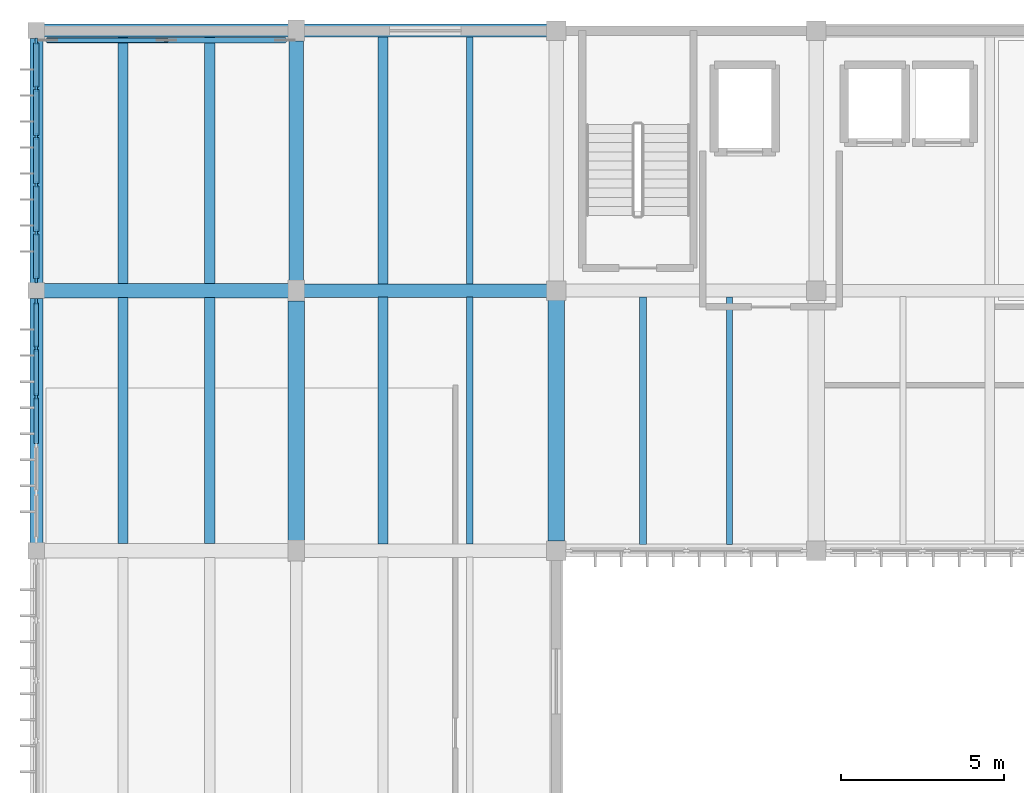
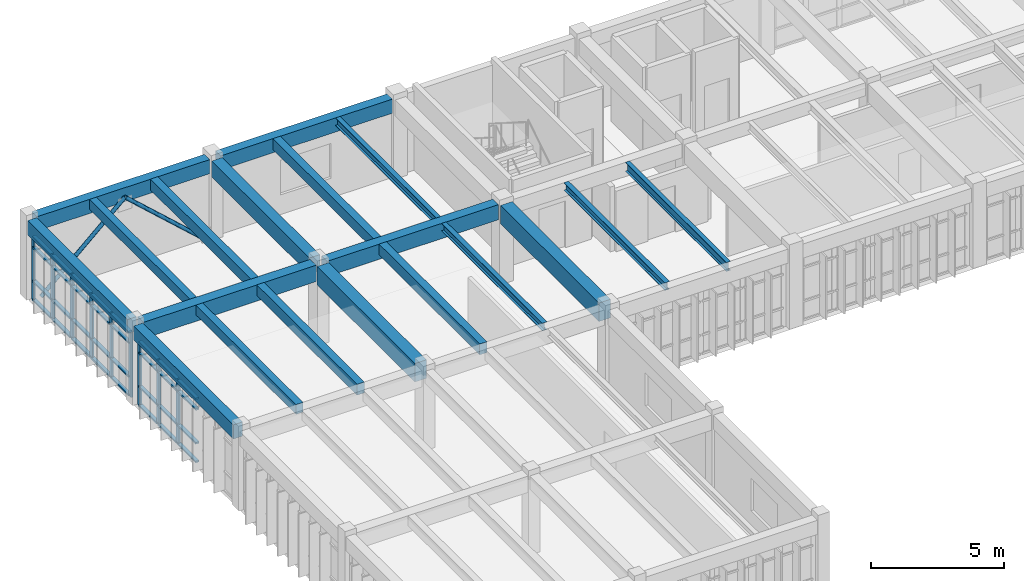
# One storey, part 7 of 22: 43 members, 19 beams, 2 elements without a shape of their own.
"""IFC4 building model written with IfcOpenShell, lengths in metres."""

from ifc_helpers import new_model, si_unit, direction, frame, origin, origin_2d, place, context, subcontext, project, spatial, rectangle, hollow_circle, i_section, extrude, material, material_profile, profile_set, type_object, element, aggregate, save


model = new_model("IFC4")

# Units and contexts
model_context = context("Model", 3, precision=1e-05, world=origin(), true_north=direction((0.0, 1.0)))
body_context = subcontext(model_context, "Body", "Model", "MODEL_VIEW")
ifc_project = project(units=[si_unit("LENGTHUNIT", "METRE"), si_unit("AREAUNIT", "SQUARE_METRE"), si_unit("VOLUMEUNIT", "CUBIC_METRE"), si_unit("PLANEANGLEUNIT", "RADIAN"), si_unit("MASSUNIT", "GRAM", prefix="KILO")], contexts=[model_context])

# Site, building, storey
site_placement = place(None, origin())
site = spatial("IfcSite", under=ifc_project, at=site_placement, CompositionType="ELEMENT")
building_placement = place(site_placement, origin())
building = spatial("IfcBuilding", under=site, at=building_placement, Name="Tlaxcora Railside Police Headquarters", CompositionType="ELEMENT")
storey_placement = place(building_placement, frame((0.0, 0.0, 21.89990234375)))
storey = spatial("IfcBuildingStorey", under=building, at=storey_placement, Name="L05", CompositionType="ELEMENT", Elevation=21.89990234375)

# Curtain wall, members
ifc_material_1 = material(Name="Thermally broken low-E insulated glazing", Category="glass")
curtain_wall_type_1 = type_object("IfcCurtainWallType", Name="Unitised Curtain Wall Assembly CW-38", PredefinedType="NOTDEFINED", material=ifc_material_1)
curtain_wall_1_placement = place(storey_placement, origin())
curtain_wall_1 = element("IfcCurtainWall", 1, at=curtain_wall_1_placement, inside=storey, type_object=curtain_wall_type_1, Name="V5 L05 curtain wall 117", PredefinedType="NOTDEFINED")
ifc_material_2 = material(Name="Anodised aluminium framing", Category="aluminium")
ifc_material_profile_1 = material_profile(ifc_material_2, rectangle(XDim=0.074951171875, YDim=0.205078125, at=origin_2d()), Name="AL75X205")
ifc_profile_set_1 = profile_set([ifc_material_profile_1], Name="Anodised aluminium framing")
member_type_1 = type_object("IfcMemberType", Name="Curtain Wall Mullion CW-32", PredefinedType="MULLION", material=ifc_profile_set_1)
member_1_placement = place(storey_placement, frame((5.199951171875, 92.46240234375, 0.0), z_axis=(0.0, 0.0, 1.0), x_axis=(1.0, 0.0, 0.0)))
member_1 = element("IfcMember", 2, at=member_1_placement, type_object=member_type_1, Name="CW mullion 1", PredefinedType="MULLION", context=body_context, shape_type="SweptSolid", body=[
    extrude(rectangle(XDim=0.074951171875, YDim=0.205078125, at=origin_2d()), origin(), (0.0, 0.0, 1.0), 2.97998046875),
])
member_2_placement = place(storey_placement, frame((5.199951171875, 91.02001953125, 0.0), z_axis=(0.0, 0.0, 1.0), x_axis=(1.0, 0.0, 0.0)))
member_2 = element("IfcMember", 3, at=member_2_placement, type_object=member_type_1, Name="CW mullion 2", PredefinedType="MULLION", context=body_context, shape_type="SweptSolid", body=[
    extrude(rectangle(XDim=0.074951171875, YDim=0.205078125, at=origin_2d()), origin(), (0.0, 0.0, 1.0), 2.97998046875),
])
member_3_placement = place(storey_placement, frame((5.199951171875, 89.5400390625, 0.0), z_axis=(0.0, 0.0, 1.0), x_axis=(1.0, 0.0, 0.0)))
member_3 = element("IfcMember", 4, at=member_3_placement, type_object=member_type_1, Name="CW mullion 3", PredefinedType="MULLION", context=body_context, shape_type="SweptSolid", body=[
    extrude(rectangle(XDim=0.074951171875, YDim=0.205078125, at=origin_2d()), origin(), (0.0, 0.0, 1.0), 2.97998046875),
])
member_4_placement = place(storey_placement, frame((5.199951171875, 88.06005859375, 0.0), z_axis=(0.0, 0.0, 1.0), x_axis=(1.0, 0.0, 0.0)))
member_4 = element("IfcMember", 5, at=member_4_placement, type_object=member_type_1, Name="CW mullion 4", PredefinedType="MULLION", context=body_context, shape_type="SweptSolid", body=[
    extrude(rectangle(XDim=0.074951171875, YDim=0.205078125, at=origin_2d()), origin(), (0.0, 0.0, 1.0), 2.97998046875),
])
member_5_placement = place(storey_placement, frame((5.199951171875, 86.580078125, 0.0), z_axis=(0.0, 0.0, 1.0), x_axis=(1.0, 0.0, 0.0)))
member_5 = element("IfcMember", 6, at=member_5_placement, type_object=member_type_1, Name="CW mullion 5", PredefinedType="MULLION", context=body_context, shape_type="SweptSolid", body=[
    extrude(rectangle(XDim=0.074951171875, YDim=0.205078125, at=origin_2d()), origin(), (0.0, 0.0, 1.0), 2.97998046875),
])
member_6_placement = place(storey_placement, frame((5.199951171875, 85.137451171875, 0.0), z_axis=(0.0, 0.0, 1.0), x_axis=(1.0, 0.0, 0.0)))
member_6 = element("IfcMember", 7, at=member_6_placement, type_object=member_type_1, Name="CW mullion 6", PredefinedType="MULLION", context=body_context, shape_type="SweptSolid", body=[
    extrude(rectangle(XDim=0.074951171875, YDim=0.205078125, at=origin_2d()), origin(), (0.0, 0.0, 1.0), 2.97998046875),
])

curtain_wall_type_2 = type_object("IfcCurtainWallType", Name="Unitised Curtain Wall Assembly CW-15", PredefinedType="NOTDEFINED", material=ifc_material_1)
curtain_wall_2_placement = place(storey_placement, origin())
curtain_wall_2 = element("IfcCurtainWall", 8, at=curtain_wall_2_placement, inside=storey, type_object=curtain_wall_type_2, Name="V5 L05 curtain wall 118", PredefinedType="NOTDEFINED")
ifc_material_profile_2 = material_profile(ifc_material_2, rectangle(XDim=0.074951171875, YDim=0.199951171875, at=origin_2d()), Name="AL75X200")
ifc_profile_set_2 = profile_set([ifc_material_profile_2], Name="Anodised aluminium framing")
member_type_2 = type_object("IfcMemberType", Name="Curtain Wall Mullion CW-58", PredefinedType="MULLION", material=ifc_profile_set_2)
member_7_placement = place(storey_placement, frame((5.199951171875, 84.46240234375, 0.0), z_axis=(0.0, 0.0, 1.0), x_axis=(1.0, 0.0, 0.0)))
member_7 = element("IfcMember", 9, at=member_7_placement, type_object=member_type_2, Name="CW mullion 1", PredefinedType="MULLION", context=body_context, shape_type="SweptSolid", body=[
    extrude(rectangle(XDim=0.074951171875, YDim=0.199951171875, at=origin_2d()), origin(), (0.0, 0.0, 1.0), 2.97998046875),
])
member_8_placement = place(storey_placement, frame((5.199951171875, 83.02001953125, 0.0), z_axis=(0.0, 0.0, 1.0), x_axis=(1.0, 0.0, 0.0)))
member_8 = element("IfcMember", 10, at=member_8_placement, type_object=member_type_2, Name="CW mullion 2", PredefinedType="MULLION", context=body_context, shape_type="SweptSolid", body=[
    extrude(rectangle(XDim=0.074951171875, YDim=0.199951171875, at=origin_2d()), origin(), (0.0, 0.0, 1.0), 2.97998046875),
])
member_9_placement = place(storey_placement, frame((5.199951171875, 81.5400390625, 0.0), z_axis=(0.0, 0.0, 1.0), x_axis=(1.0, 0.0, 0.0)))
member_9 = element("IfcMember", 11, at=member_9_placement, type_object=member_type_2, Name="CW mullion 3", PredefinedType="MULLION", context=body_context, shape_type="SweptSolid", body=[
    extrude(rectangle(XDim=0.074951171875, YDim=0.199951171875, at=origin_2d()), origin(), (0.0, 0.0, 1.0), 2.97998046875),
])
ifc_material_profile_3 = material_profile(ifc_material_2, rectangle(XDim=0.14990234375, YDim=0.074951171875, at=origin_2d()), Name="AL75X150")
ifc_profile_set_3 = profile_set([ifc_material_profile_3], Name="Anodised aluminium framing")
member_type_3 = type_object("IfcMemberType", Name="Curtain Wall Transom CW-28", PredefinedType="USERDEFINED", material=ifc_profile_set_3)
member_10_placement = place(storey_placement, frame((5.199951171875, 84.425048828125, 0.03759765625), z_axis=(0.0, -1.0, 0.0), x_axis=(1.0, 0.0, 0.0)))
member_10 = element("IfcMember", 12, at=member_10_placement, type_object=member_type_3, Name="CW transom 1.1", ObjectType="TRANSOM", PredefinedType="USERDEFINED", context=body_context, shape_type="SweptSolid", body=[
    extrude(rectangle(XDim=0.14990234375, YDim=0.074951171875, at=origin_2d()), origin(), (0.0, 0.0, 1.0), 1.367431640625),
])
member_11_placement = place(storey_placement, frame((5.199951171875, 84.425048828125, 0.900146484375), z_axis=(0.0, -1.0, 0.0), x_axis=(1.0, 0.0, 0.0)))
member_11 = element("IfcMember", 13, at=member_11_placement, type_object=member_type_3, Name="CW transom 1.2", ObjectType="TRANSOM", PredefinedType="USERDEFINED", context=body_context, shape_type="SweptSolid", body=[
    extrude(rectangle(XDim=0.14990234375, YDim=0.074951171875, at=origin_2d()), origin(), (0.0, 0.0, 1.0), 1.367431640625),
])
member_12_placement = place(storey_placement, frame((5.199951171875, 84.425048828125, 2.4501953125), z_axis=(0.0, -1.0, 0.0), x_axis=(1.0, 0.0, 0.0)))
member_12 = element("IfcMember", 14, at=member_12_placement, type_object=member_type_3, Name="CW transom 1.3", ObjectType="TRANSOM", PredefinedType="USERDEFINED", context=body_context, shape_type="SweptSolid", body=[
    extrude(rectangle(XDim=0.14990234375, YDim=0.074951171875, at=origin_2d()), origin(), (0.0, 0.0, 1.0), 1.367431640625),
])
member_13_placement = place(storey_placement, frame((5.199951171875, 84.425048828125, 2.942626953125), z_axis=(0.0, -1.0, 0.0), x_axis=(1.0, 0.0, 0.0)))
member_13 = element("IfcMember", 15, at=member_13_placement, type_object=member_type_3, Name="CW transom 1.4", ObjectType="TRANSOM", PredefinedType="USERDEFINED", context=body_context, shape_type="SweptSolid", body=[
    extrude(rectangle(XDim=0.14990234375, YDim=0.074951171875, at=origin_2d()), origin(), (0.0, 0.0, 1.0), 1.367431640625),
])
member_14_placement = place(storey_placement, frame((5.199951171875, 82.982421875, 0.03759765625), z_axis=(0.0, -1.0, 0.0), x_axis=(1.0, 0.0, 0.0)))
member_14 = element("IfcMember", 16, at=member_14_placement, type_object=member_type_3, Name="CW transom 2.1", ObjectType="TRANSOM", PredefinedType="USERDEFINED", context=body_context, shape_type="SweptSolid", body=[
    extrude(rectangle(XDim=0.14990234375, YDim=0.074951171875, at=origin_2d()), origin(), (0.0, 0.0, 1.0), 1.405029296875),
])
member_15_placement = place(storey_placement, frame((5.199951171875, 82.982421875, 0.900146484375), z_axis=(0.0, -1.0, 0.0), x_axis=(1.0, 0.0, 0.0)))
member_15 = element("IfcMember", 17, at=member_15_placement, type_object=member_type_3, Name="CW transom 2.2", ObjectType="TRANSOM", PredefinedType="USERDEFINED", context=body_context, shape_type="SweptSolid", body=[
    extrude(rectangle(XDim=0.14990234375, YDim=0.074951171875, at=origin_2d()), origin(), (0.0, 0.0, 1.0), 1.405029296875),
])
member_16_placement = place(storey_placement, frame((5.199951171875, 82.982421875, 2.4501953125), z_axis=(0.0, -1.0, 0.0), x_axis=(1.0, 0.0, 0.0)))
member_16 = element("IfcMember", 18, at=member_16_placement, type_object=member_type_3, Name="CW transom 2.3", ObjectType="TRANSOM", PredefinedType="USERDEFINED", context=body_context, shape_type="SweptSolid", body=[
    extrude(rectangle(XDim=0.14990234375, YDim=0.074951171875, at=origin_2d()), origin(), (0.0, 0.0, 1.0), 1.405029296875),
])
member_17_placement = place(storey_placement, frame((5.199951171875, 82.982421875, 2.942626953125), z_axis=(0.0, -1.0, 0.0), x_axis=(1.0, 0.0, 0.0)))
member_17 = element("IfcMember", 19, at=member_17_placement, type_object=member_type_3, Name="CW transom 2.4", ObjectType="TRANSOM", PredefinedType="USERDEFINED", context=body_context, shape_type="SweptSolid", body=[
    extrude(rectangle(XDim=0.14990234375, YDim=0.074951171875, at=origin_2d()), origin(), (0.0, 0.0, 1.0), 1.405029296875),
])
member_18_placement = place(storey_placement, frame((5.199951171875, 81.50244140625, 0.03759765625), z_axis=(0.0, -1.0, 0.0), x_axis=(1.0, 0.0, 0.0)))
member_18 = element("IfcMember", 20, at=member_18_placement, type_object=member_type_3, Name="CW transom 3.1", ObjectType="TRANSOM", PredefinedType="USERDEFINED", context=body_context, shape_type="SweptSolid", body=[
    extrude(rectangle(XDim=0.14990234375, YDim=0.074951171875, at=origin_2d()), origin(), (0.0, 0.0, 1.0), 1.405029296875),
])
member_19_placement = place(storey_placement, frame((5.199951171875, 81.50244140625, 0.900146484375), z_axis=(0.0, -1.0, 0.0), x_axis=(1.0, 0.0, 0.0)))
member_19 = element("IfcMember", 21, at=member_19_placement, type_object=member_type_3, Name="CW transom 3.2", ObjectType="TRANSOM", PredefinedType="USERDEFINED", context=body_context, shape_type="SweptSolid", body=[
    extrude(rectangle(XDim=0.14990234375, YDim=0.074951171875, at=origin_2d()), origin(), (0.0, 0.0, 1.0), 1.405029296875),
])
member_20_placement = place(storey_placement, frame((5.199951171875, 81.50244140625, 2.4501953125), z_axis=(0.0, -1.0, 0.0), x_axis=(1.0, 0.0, 0.0)))
member_20 = element("IfcMember", 22, at=member_20_placement, type_object=member_type_3, Name="CW transom 3.3", ObjectType="TRANSOM", PredefinedType="USERDEFINED", context=body_context, shape_type="SweptSolid", body=[
    extrude(rectangle(XDim=0.14990234375, YDim=0.074951171875, at=origin_2d()), origin(), (0.0, 0.0, 1.0), 1.405029296875),
])
member_21_placement = place(storey_placement, frame((5.199951171875, 81.50244140625, 2.942626953125), z_axis=(0.0, -1.0, 0.0), x_axis=(1.0, 0.0, 0.0)))
member_21 = element("IfcMember", 23, at=member_21_placement, type_object=member_type_3, Name="CW transom 3.4", ObjectType="TRANSOM", PredefinedType="USERDEFINED", context=body_context, shape_type="SweptSolid", body=[
    extrude(rectangle(XDim=0.14990234375, YDim=0.074951171875, at=origin_2d()), origin(), (0.0, 0.0, 1.0), 1.405029296875),
])
aggregate(curtain_wall_2, [member_7, member_8, member_9, member_10, member_11, member_12, member_13, member_14, member_15, member_16, member_17, member_18, member_19, member_20, member_21])

# Member
ifc_material_profile_4 = material_profile(ifc_material_2, rectangle(XDim=0.155029296875, YDim=0.074951171875, at=origin_2d()), Name="AL75X155")
ifc_profile_set_4 = profile_set([ifc_material_profile_4], Name="Anodised aluminium framing")
member_type_4 = type_object("IfcMemberType", Name="Curtain Wall Transom CW-30", PredefinedType="USERDEFINED", material=ifc_profile_set_4)
member_22_placement = place(storey_placement, frame((5.199951171875, 92.425048828125, 0.03759765625), z_axis=(0.0, -1.0, 0.0), x_axis=(1.0, 0.0, 0.0)))
member_22 = element("IfcMember", 24, at=member_22_placement, type_object=member_type_4, Name="CW transom 1.1", ObjectType="TRANSOM", PredefinedType="USERDEFINED", context=body_context, shape_type="SweptSolid", body=[
    extrude(rectangle(XDim=0.155029296875, YDim=0.074951171875, at=origin_2d()), origin(), (0.0, 0.0, 1.0), 1.367431640625),
])

member_23_placement = place(storey_placement, frame((5.199951171875, 92.425048828125, 0.900146484375), z_axis=(0.0, -1.0, 0.0), x_axis=(1.0, 0.0, 0.0)))
member_23 = element("IfcMember", 25, at=member_23_placement, type_object=member_type_4, Name="CW transom 1.2", ObjectType="TRANSOM", PredefinedType="USERDEFINED", context=body_context, shape_type="SweptSolid", body=[
    extrude(rectangle(XDim=0.155029296875, YDim=0.074951171875, at=origin_2d()), origin(), (0.0, 0.0, 1.0), 1.367431640625),
])

member_24_placement = place(storey_placement, frame((5.199951171875, 92.425048828125, 2.4501953125), z_axis=(0.0, -1.0, 0.0), x_axis=(1.0, 0.0, 0.0)))
member_24 = element("IfcMember", 26, at=member_24_placement, type_object=member_type_4, Name="CW transom 1.3", ObjectType="TRANSOM", PredefinedType="USERDEFINED", context=body_context, shape_type="SweptSolid", body=[
    extrude(rectangle(XDim=0.155029296875, YDim=0.074951171875, at=origin_2d()), origin(), (0.0, 0.0, 1.0), 1.367431640625),
])

member_25_placement = place(storey_placement, frame((5.199951171875, 92.425048828125, 2.942626953125), z_axis=(0.0, -1.0, 0.0), x_axis=(1.0, 0.0, 0.0)))
member_25 = element("IfcMember", 27, at=member_25_placement, type_object=member_type_4, Name="CW transom 1.4", ObjectType="TRANSOM", PredefinedType="USERDEFINED", context=body_context, shape_type="SweptSolid", body=[
    extrude(rectangle(XDim=0.155029296875, YDim=0.074951171875, at=origin_2d()), origin(), (0.0, 0.0, 1.0), 1.367431640625),
])

member_26_placement = place(storey_placement, frame((5.199951171875, 90.982421875, 0.03759765625), z_axis=(0.0, -1.0, 0.0), x_axis=(1.0, 0.0, 0.0)))
member_26 = element("IfcMember", 28, at=member_26_placement, type_object=member_type_4, Name="CW transom 2.1", ObjectType="TRANSOM", PredefinedType="USERDEFINED", context=body_context, shape_type="SweptSolid", body=[
    extrude(rectangle(XDim=0.155029296875, YDim=0.074951171875, at=origin_2d()), origin(), (0.0, 0.0, 1.0), 1.405029296875),
])

member_27_placement = place(storey_placement, frame((5.199951171875, 90.982421875, 0.900146484375), z_axis=(0.0, -1.0, 0.0), x_axis=(1.0, 0.0, 0.0)))
member_27 = element("IfcMember", 29, at=member_27_placement, type_object=member_type_4, Name="CW transom 2.2", ObjectType="TRANSOM", PredefinedType="USERDEFINED", context=body_context, shape_type="SweptSolid", body=[
    extrude(rectangle(XDim=0.155029296875, YDim=0.074951171875, at=origin_2d()), origin(), (0.0, 0.0, 1.0), 1.405029296875),
])

member_28_placement = place(storey_placement, frame((5.199951171875, 90.982421875, 2.4501953125), z_axis=(0.0, -1.0, 0.0), x_axis=(1.0, 0.0, 0.0)))
member_28 = element("IfcMember", 30, at=member_28_placement, type_object=member_type_4, Name="CW transom 2.3", ObjectType="TRANSOM", PredefinedType="USERDEFINED", context=body_context, shape_type="SweptSolid", body=[
    extrude(rectangle(XDim=0.155029296875, YDim=0.074951171875, at=origin_2d()), origin(), (0.0, 0.0, 1.0), 1.405029296875),
])

member_29_placement = place(storey_placement, frame((5.199951171875, 90.982421875, 2.942626953125), z_axis=(0.0, -1.0, 0.0), x_axis=(1.0, 0.0, 0.0)))
member_29 = element("IfcMember", 31, at=member_29_placement, type_object=member_type_4, Name="CW transom 2.4", ObjectType="TRANSOM", PredefinedType="USERDEFINED", context=body_context, shape_type="SweptSolid", body=[
    extrude(rectangle(XDim=0.155029296875, YDim=0.074951171875, at=origin_2d()), origin(), (0.0, 0.0, 1.0), 1.405029296875),
])

member_30_placement = place(storey_placement, frame((5.199951171875, 89.50244140625, 0.03759765625), z_axis=(0.0, -1.0, 0.0), x_axis=(1.0, 0.0, 0.0)))
member_30 = element("IfcMember", 32, at=member_30_placement, type_object=member_type_4, Name="CW transom 3.1", ObjectType="TRANSOM", PredefinedType="USERDEFINED", context=body_context, shape_type="SweptSolid", body=[
    extrude(rectangle(XDim=0.155029296875, YDim=0.074951171875, at=origin_2d()), origin(), (0.0, 0.0, 1.0), 1.405029296875),
])

member_31_placement = place(storey_placement, frame((5.199951171875, 89.50244140625, 0.900146484375), z_axis=(0.0, -1.0, 0.0), x_axis=(1.0, 0.0, 0.0)))
member_31 = element("IfcMember", 33, at=member_31_placement, type_object=member_type_4, Name="CW transom 3.2", ObjectType="TRANSOM", PredefinedType="USERDEFINED", context=body_context, shape_type="SweptSolid", body=[
    extrude(rectangle(XDim=0.155029296875, YDim=0.074951171875, at=origin_2d()), origin(), (0.0, 0.0, 1.0), 1.405029296875),
])

member_32_placement = place(storey_placement, frame((5.199951171875, 89.50244140625, 2.4501953125), z_axis=(0.0, -1.0, 0.0), x_axis=(1.0, 0.0, 0.0)))
member_32 = element("IfcMember", 34, at=member_32_placement, type_object=member_type_4, Name="CW transom 3.3", ObjectType="TRANSOM", PredefinedType="USERDEFINED", context=body_context, shape_type="SweptSolid", body=[
    extrude(rectangle(XDim=0.155029296875, YDim=0.074951171875, at=origin_2d()), origin(), (0.0, 0.0, 1.0), 1.405029296875),
])

member_33_placement = place(storey_placement, frame((5.199951171875, 89.50244140625, 2.942626953125), z_axis=(0.0, -1.0, 0.0), x_axis=(1.0, 0.0, 0.0)))
member_33 = element("IfcMember", 35, at=member_33_placement, type_object=member_type_4, Name="CW transom 3.4", ObjectType="TRANSOM", PredefinedType="USERDEFINED", context=body_context, shape_type="SweptSolid", body=[
    extrude(rectangle(XDim=0.155029296875, YDim=0.074951171875, at=origin_2d()), origin(), (0.0, 0.0, 1.0), 1.405029296875),
])

member_34_placement = place(storey_placement, frame((5.199951171875, 88.0224609375, 0.03759765625), z_axis=(0.0, -1.0, 0.0), x_axis=(1.0, 0.0, 0.0)))
member_34 = element("IfcMember", 36, at=member_34_placement, type_object=member_type_4, Name="CW transom 4.1", ObjectType="TRANSOM", PredefinedType="USERDEFINED", context=body_context, shape_type="SweptSolid", body=[
    extrude(rectangle(XDim=0.155029296875, YDim=0.074951171875, at=origin_2d()), origin(), (0.0, 0.0, 1.0), 1.405029296875),
])

member_35_placement = place(storey_placement, frame((5.199951171875, 88.0224609375, 0.900146484375), z_axis=(0.0, -1.0, 0.0), x_axis=(1.0, 0.0, 0.0)))
member_35 = element("IfcMember", 37, at=member_35_placement, type_object=member_type_4, Name="CW transom 4.2", ObjectType="TRANSOM", PredefinedType="USERDEFINED", context=body_context, shape_type="SweptSolid", body=[
    extrude(rectangle(XDim=0.155029296875, YDim=0.074951171875, at=origin_2d()), origin(), (0.0, 0.0, 1.0), 1.405029296875),
])

member_36_placement = place(storey_placement, frame((5.199951171875, 88.0224609375, 2.4501953125), z_axis=(0.0, -1.0, 0.0), x_axis=(1.0, 0.0, 0.0)))
member_36 = element("IfcMember", 38, at=member_36_placement, type_object=member_type_4, Name="CW transom 4.3", ObjectType="TRANSOM", PredefinedType="USERDEFINED", context=body_context, shape_type="SweptSolid", body=[
    extrude(rectangle(XDim=0.155029296875, YDim=0.074951171875, at=origin_2d()), origin(), (0.0, 0.0, 1.0), 1.405029296875),
])

member_37_placement = place(storey_placement, frame((5.199951171875, 88.0224609375, 2.942626953125), z_axis=(0.0, -1.0, 0.0), x_axis=(1.0, 0.0, 0.0)))
member_37 = element("IfcMember", 39, at=member_37_placement, type_object=member_type_4, Name="CW transom 4.4", ObjectType="TRANSOM", PredefinedType="USERDEFINED", context=body_context, shape_type="SweptSolid", body=[
    extrude(rectangle(XDim=0.155029296875, YDim=0.074951171875, at=origin_2d()), origin(), (0.0, 0.0, 1.0), 1.405029296875),
])

member_38_placement = place(storey_placement, frame((5.199951171875, 86.54248046875, 0.03759765625), z_axis=(0.0, -1.0, 0.0), x_axis=(1.0, 0.0, 0.0)))
member_38 = element("IfcMember", 40, at=member_38_placement, type_object=member_type_4, Name="CW transom 5.1", ObjectType="TRANSOM", PredefinedType="USERDEFINED", context=body_context, shape_type="SweptSolid", body=[
    extrude(rectangle(XDim=0.155029296875, YDim=0.074951171875, at=origin_2d()), origin(), (0.0, 0.0, 1.0), 1.367431640625),
])

member_39_placement = place(storey_placement, frame((5.199951171875, 86.54248046875, 0.900146484375), z_axis=(0.0, -1.0, 0.0), x_axis=(1.0, 0.0, 0.0)))
member_39 = element("IfcMember", 41, at=member_39_placement, type_object=member_type_4, Name="CW transom 5.2", ObjectType="TRANSOM", PredefinedType="USERDEFINED", context=body_context, shape_type="SweptSolid", body=[
    extrude(rectangle(XDim=0.155029296875, YDim=0.074951171875, at=origin_2d()), origin(), (0.0, 0.0, 1.0), 1.367431640625),
])

member_40_placement = place(storey_placement, frame((5.199951171875, 86.54248046875, 2.4501953125), z_axis=(0.0, -1.0, 0.0), x_axis=(1.0, 0.0, 0.0)))
member_40 = element("IfcMember", 42, at=member_40_placement, type_object=member_type_4, Name="CW transom 5.3", ObjectType="TRANSOM", PredefinedType="USERDEFINED", context=body_context, shape_type="SweptSolid", body=[
    extrude(rectangle(XDim=0.155029296875, YDim=0.074951171875, at=origin_2d()), origin(), (0.0, 0.0, 1.0), 1.367431640625),
])

member_41_placement = place(storey_placement, frame((5.199951171875, 86.54248046875, 2.942626953125), z_axis=(0.0, -1.0, 0.0), x_axis=(1.0, 0.0, 0.0)))
member_41 = element("IfcMember", 43, at=member_41_placement, type_object=member_type_4, Name="CW transom 5.4", ObjectType="TRANSOM", PredefinedType="USERDEFINED", context=body_context, shape_type="SweptSolid", body=[
    extrude(rectangle(XDim=0.155029296875, YDim=0.074951171875, at=origin_2d()), origin(), (0.0, 0.0, 1.0), 1.367431640625),
])

aggregate(curtain_wall_1, [member_1, member_2, member_3, member_4, member_5, member_6, member_22, member_23, member_24, member_25, member_26, member_27, member_28, member_29, member_30, member_31, member_32, member_33, member_34, member_35, member_36, member_37, member_38, member_39, member_40, member_41])

# Members
ifc_material_3 = material(Name="Steel ASTM A992 Grade 50", Category="steel")
ifc_material_profile_5 = material_profile(ifc_material_3, hollow_circle(Radius=0.083984375, WallThickness=0.008056640625, at=origin_2d()), Name="CHS168X8")
ifc_profile_set_5 = profile_set([ifc_material_profile_5], Name="Steel ASTM A992 Grade 50")
member_type_5 = type_object("IfcMemberType", Name="Diagonal Brace Member MB-55", PredefinedType="BRACE", material=ifc_profile_set_5)
for number, where, z_axis, x_axis, name in (
    (44, (5.550048828125, 92.5, 0.0), (0.74176259796, 0.0, 0.670662544256), (0.0, 1.0, 0.0), "Chevron brace 5A"),
    (45, (12.85009765625, 92.5, 0.0), (-0.741784913524, 0.0, 0.67063786209), (0.0, -1.0, 0.0), "Chevron brace 5B"),
):
    element("IfcMember", number, at=place(storey_placement, frame(where, z_axis=z_axis, x_axis=x_axis)), inside=storey, type_object=member_type_5, Name=name, PredefinedType="BRACE", context=body_context, shape_type="SweptSolid", body=[
        extrude(hollow_circle(Radius=0.083984375, WallThickness=0.008056640625, at=origin_2d()), origin(), (0.0, 0.0, 1.0), 4.920654296875),
    ])

# Beams
ifc_material_4 = material(Name="Concrete C40/50", Category="concrete")
ifc_material_profile_6 = material_profile(ifc_material_4, rectangle(XDim=0.39990234375, YDim=0.64990234375, at=origin_2d()), Name="RC400X650")
ifc_profile_set_6 = profile_set([ifc_material_profile_6], Name="Concrete C40/50")
beam_type_1 = type_object("IfcBeamType", Name="Perimeter Spandrel Beam BM-46", PredefinedType="SPANDREL", material=ifc_profile_set_6)
beam_1_placement = place(storey_placement, frame((5.43994140625, 92.800048828125, 3.3251953125), z_axis=(1.0, 0.0, 0.0), x_axis=(0.0, 1.0, 0.0)))
element("IfcBeam", 46, at=beam_1_placement, inside=storey, type_object=beam_type_1, Name="V5 L05 X-girder Y=92.8", PredefinedType="SPANDREL", context=body_context, shape_type="SweptSolid", body=[
    extrude(rectangle(XDim=0.39990234375, YDim=0.64990234375, at=origin_2d()), origin(), (0.0, 0.0, 1.0), 7.52001953125),
])
beam_2_placement = place(storey_placement, frame((13.43994140625, 92.800048828125, 3.3251953125), z_axis=(1.0, 0.0, 0.0), x_axis=(0.0, 1.0, 0.0)))
element("IfcBeam", 47, at=beam_2_placement, inside=storey, type_object=beam_type_1, Name="V5 L05 X-girder Y=92.8", PredefinedType="SPANDREL", context=body_context, shape_type="SweptSolid", body=[
    extrude(rectangle(XDim=0.39990234375, YDim=0.64990234375, at=origin_2d()), origin(), (0.0, 0.0, 1.0), 7.469970703125),
])
for number, where, z_axis, x_axis, name in (
    (48, (5.199951171875, 77.0400390625, 3.3251953125), (0.0, 1.0, 0.0), (-1.0, 0.0, 0.0), "V5 L05 Y-girder X=5.2"),
    (49, (5.199951171875, 85.0400390625, 3.3251953125), (0.0, 1.0, 0.0), (-1.0, 0.0, 0.0), "V5 L05 Y-girder X=5.2"),
):
    element("IfcBeam", number, at=place(storey_placement, frame(where, z_axis=z_axis, x_axis=x_axis)), inside=storey, type_object=beam_type_1, Name=name, PredefinedType="SPANDREL", context=body_context, shape_type="SweptSolid", body=[
        extrude(rectangle(XDim=0.39990234375, YDim=0.64990234375, at=origin_2d()), origin(), (0.0, 0.0, 1.0), 7.52001953125),
    ])
ifc_material_profile_7 = material_profile(ifc_material_4, rectangle(XDim=0.419921875, YDim=0.699951171875, at=origin_2d()), Name="RC420X700")
ifc_profile_set_7 = profile_set([ifc_material_profile_7], Name="Concrete C40/50")
beam_type_2 = type_object("IfcBeamType", Name="Primary Frame Girder BM-35", PredefinedType="BEAM", material=ifc_profile_set_7)
beam_3_placement = place(storey_placement, frame((13.43994140625, 84.800048828125, 3.300048828125), z_axis=(1.0, 0.0, 0.0), x_axis=(0.0, 1.0, 0.0)))
element("IfcBeam", 50, at=beam_3_placement, inside=storey, type_object=beam_type_2, Name="V5 L05 X-girder Y=84.8", PredefinedType="BEAM", context=body_context, shape_type="SweptSolid", body=[
    extrude(rectangle(XDim=0.419921875, YDim=0.699951171875, at=origin_2d()), origin(), (0.0, 0.0, 1.0), 7.469970703125),
])
ifc_material_profile_8 = material_profile(ifc_material_4, rectangle(XDim=0.5, YDim=0.85009765625, at=origin_2d()), Name="RC500X850")
ifc_profile_set_8 = profile_set([ifc_material_profile_8], Name="Concrete C40/50")
beam_type_3 = type_object("IfcBeamType", Name="Primary Frame Girder BM-64", PredefinedType="BEAM", material=ifc_profile_set_8)
beam_4_placement = place(storey_placement, frame((13.199951171875, 77.114990234375, 3.22509765625), z_axis=(0.0, 1.0, 0.0), x_axis=(-1.0, 0.0, 0.0)))
element("IfcBeam", 51, at=beam_4_placement, inside=storey, type_object=beam_type_3, Name="V5 L05 Y-girder X=13.2", PredefinedType="BEAM", context=body_context, shape_type="SweptSolid", body=[
    extrude(rectangle(XDim=0.5, YDim=0.85009765625, at=origin_2d()), origin(), (0.0, 0.0, 1.0), 7.3701171875),
])
beam_5_placement = place(storey_placement, frame((21.199951171875, 77.090087890625, 3.22509765625), z_axis=(0.0, 1.0, 0.0), x_axis=(-1.0, 0.0, 0.0)))
element("IfcBeam", 52, at=beam_5_placement, inside=storey, type_object=beam_type_3, Name="V5 L05 Y-girder X=21.2", PredefinedType="BEAM", context=body_context, shape_type="SweptSolid", body=[
    extrude(rectangle(XDim=0.5, YDim=0.85009765625, at=origin_2d()), origin(), (0.0, 0.0, 1.0), 7.419921875),
])
ifc_material_profile_9 = material_profile(ifc_material_4, rectangle(XDim=0.449951171875, YDim=0.75, at=origin_2d()), Name="RC450X750")
ifc_profile_set_9 = profile_set([ifc_material_profile_9], Name="Concrete C40/50")
beam_type_4 = type_object("IfcBeamType", Name="Primary Frame Girder BM-73", PredefinedType="BEAM", material=ifc_profile_set_9)
beam_6_placement = place(storey_placement, frame((5.43994140625, 84.800048828125, 3.275146484375), z_axis=(1.0, 0.0, 0.0), x_axis=(0.0, 1.0, 0.0)))
element("IfcBeam", 53, at=beam_6_placement, inside=storey, type_object=beam_type_4, Name="V5 L05 X-girder Y=84.8", PredefinedType="BEAM", context=body_context, shape_type="SweptSolid", body=[
    extrude(rectangle(XDim=0.449951171875, YDim=0.75, at=origin_2d()), origin(), (0.0, 0.0, 1.0), 7.52001953125),
])
beam_7_placement = place(storey_placement, frame((13.199951171875, 85.114990234375, 3.275146484375), z_axis=(0.0, 1.0, 0.0), x_axis=(-1.0, 0.0, 0.0)))
element("IfcBeam", 54, at=beam_7_placement, inside=storey, type_object=beam_type_4, Name="V5 L05 Y-girder X=13.2", PredefinedType="BEAM", context=body_context, shape_type="SweptSolid", body=[
    extrude(rectangle(XDim=0.449951171875, YDim=0.75, at=origin_2d()), origin(), (0.0, 0.0, 1.0), 7.3701171875),
])
ifc_material_5 = material(Name="Concrete C35/45", Category="concrete")
ifc_material_profile_10 = material_profile(ifc_material_5, rectangle(XDim=0.300048828125, YDim=0.449951171875, at=origin_2d()), Name="RC300X450")
ifc_profile_set_10 = profile_set([ifc_material_profile_10], Name="Concrete C35/45")
beam_type_5 = type_object("IfcBeamType", Name="Secondary Floor Joist BM-27", PredefinedType="JOIST", material=ifc_profile_set_10)
beam_8_placement = place(storey_placement, frame((7.86669921875, 77.01708984375, 3.425048828125), z_axis=(0.0, 1.0, 0.0), x_axis=(-1.0, 0.0, 0.0)))
element("IfcBeam", 55, at=beam_8_placement, inside=storey, type_object=beam_type_5, Name="V5 L05 floor joist X=7.87", PredefinedType="JOIST", context=body_context, shape_type="SweptSolid", body=[
    extrude(rectangle(XDim=0.300048828125, YDim=0.449951171875, at=origin_2d()), origin(), (0.0, 0.0, 1.0), 7.56591796875),
])
beam_9_placement = place(storey_placement, frame((7.86669921875, 85.01708984375, 3.425048828125), z_axis=(0.0, 1.0, 0.0), x_axis=(-1.0, 0.0, 0.0)))
element("IfcBeam", 56, at=beam_9_placement, inside=storey, type_object=beam_type_5, Name="V5 L05 floor joist X=7.87", PredefinedType="JOIST", context=body_context, shape_type="SweptSolid", body=[
    extrude(rectangle(XDim=0.300048828125, YDim=0.449951171875, at=origin_2d()), origin(), (0.0, 0.0, 1.0), 7.5908203125),
])
ifc_material_profile_11 = material_profile(ifc_material_3, i_section(OverallWidth=0.2041015625, OverallDepth=0.35009765625, WebThickness=0.008544921875, FlangeThickness=0.01513671875, at=origin_2d()), Name="W14X48")
ifc_profile_set_11 = profile_set([ifc_material_profile_11], Name="Steel ASTM A992 Grade 50")
beam_type_6 = type_object("IfcBeamType", Name="Secondary Floor Joist BM-65", PredefinedType="JOIST", material=ifc_profile_set_11)
beam_10_placement = place(storey_placement, frame((18.533203125, 77.001953125, 3.47509765625), z_axis=(0.0, 1.0, 0.0), x_axis=(-1.0, 0.0, 0.0)))
element("IfcBeam", 57, at=beam_10_placement, inside=storey, type_object=beam_type_6, Name="V5 L05 floor joist X=18.53", PredefinedType="JOIST", context=body_context, shape_type="SweptSolid", body=[
    extrude(i_section(OverallWidth=0.2041015625, OverallDepth=0.35009765625, WebThickness=0.008544921875, FlangeThickness=0.01513671875, at=origin_2d()), origin(), (0.0, 0.0, 1.0), 7.595947265625),
])
beam_11_placement = place(storey_placement, frame((23.86669921875, 76.991943359375, 3.47509765625), z_axis=(0.0, 1.0, 0.0), x_axis=(-1.0, 0.0, 0.0)))
element("IfcBeam", 58, at=beam_11_placement, inside=storey, type_object=beam_type_6, Name="V5 L05 floor joist X=23.87", PredefinedType="JOIST", context=body_context, shape_type="SweptSolid", body=[
    extrude(i_section(OverallWidth=0.2041015625, OverallDepth=0.35009765625, WebThickness=0.008544921875, FlangeThickness=0.01513671875, at=origin_2d()), origin(), (0.0, 0.0, 1.0), 7.615966796875),
])
beam_12_placement = place(storey_placement, frame((18.533203125, 85.001953125, 3.47509765625), z_axis=(0.0, 1.0, 0.0), x_axis=(-1.0, 0.0, 0.0)))
element("IfcBeam", 59, at=beam_12_placement, inside=storey, type_object=beam_type_6, Name="V5 L05 floor joist X=18.53", PredefinedType="JOIST", context=body_context, shape_type="SweptSolid", body=[
    extrude(i_section(OverallWidth=0.2041015625, OverallDepth=0.35009765625, WebThickness=0.008544921875, FlangeThickness=0.01513671875, at=origin_2d()), origin(), (0.0, 0.0, 1.0), 7.60595703125),
])
ifc_material_profile_12 = material_profile(ifc_material_3, i_section(OverallWidth=0.180908203125, OverallDepth=0.4169921875, WebThickness=0.010009765625, FlangeThickness=0.018310546875, at=origin_2d()), Name="W16X57")
ifc_profile_set_12 = profile_set([ifc_material_profile_12], Name="Steel ASTM A992 Grade 50")
beam_type_7 = type_object("IfcBeamType", Name="Secondary Floor Joist BM-84", PredefinedType="JOIST", material=ifc_profile_set_12)
beam_13_placement = place(storey_placement, frame((26.533203125, 76.991943359375, 3.441650390625), z_axis=(0.0, 1.0, 0.0), x_axis=(-1.0, 0.0, 0.0)))
element("IfcBeam", 60, at=beam_13_placement, inside=storey, type_object=beam_type_7, Name="V5 L05 floor joist X=26.53", PredefinedType="JOIST", context=body_context, shape_type="SweptSolid", body=[
    extrude(i_section(OverallWidth=0.180908203125, OverallDepth=0.4169921875, WebThickness=0.010009765625, FlangeThickness=0.018310546875, at=origin_2d()), origin(), (0.0, 0.0, 1.0), 7.615966796875),
])
ifc_material_profile_13 = material_profile(ifc_material_5, rectangle(XDim=0.320068359375, YDim=0.5, at=origin_2d()), Name="RC320X500")
ifc_profile_set_13 = profile_set([ifc_material_profile_13], Name="Concrete C35/45")
beam_type_8 = type_object("IfcBeamType", Name="Secondary Floor Joist BM-88", PredefinedType="JOIST", material=ifc_profile_set_13)
beam_14_placement = place(storey_placement, frame((10.533203125, 77.01708984375, 3.400146484375), z_axis=(0.0, 1.0, 0.0), x_axis=(-1.0, 0.0, 0.0)))
element("IfcBeam", 61, at=beam_14_placement, inside=storey, type_object=beam_type_8, Name="V5 L05 floor joist X=10.53", PredefinedType="JOIST", context=body_context, shape_type="SweptSolid", body=[
    extrude(rectangle(XDim=0.320068359375, YDim=0.5, at=origin_2d()), origin(), (0.0, 0.0, 1.0), 7.56591796875),
])
beam_15_placement = place(storey_placement, frame((15.86669921875, 77.001953125, 3.400146484375), z_axis=(0.0, 1.0, 0.0), x_axis=(-1.0, 0.0, 0.0)))
element("IfcBeam", 62, at=beam_15_placement, inside=storey, type_object=beam_type_8, Name="V5 L05 floor joist X=15.87", PredefinedType="JOIST", context=body_context, shape_type="SweptSolid", body=[
    extrude(rectangle(XDim=0.320068359375, YDim=0.5, at=origin_2d()), origin(), (0.0, 0.0, 1.0), 7.595947265625),
])
beam_16_placement = place(storey_placement, frame((10.533203125, 85.01708984375, 3.400146484375), z_axis=(0.0, 1.0, 0.0), x_axis=(-1.0, 0.0, 0.0)))
element("IfcBeam", 63, at=beam_16_placement, inside=storey, type_object=beam_type_8, Name="V5 L05 floor joist X=10.53", PredefinedType="JOIST", context=body_context, shape_type="SweptSolid", body=[
    extrude(rectangle(XDim=0.320068359375, YDim=0.5, at=origin_2d()), origin(), (0.0, 0.0, 1.0), 7.5908203125),
])
beam_17_placement = place(storey_placement, frame((15.86669921875, 85.001953125, 3.400146484375), z_axis=(0.0, 1.0, 0.0), x_axis=(-1.0, 0.0, 0.0)))
element("IfcBeam", 64, at=beam_17_placement, inside=storey, type_object=beam_type_8, Name="V5 L05 floor joist X=15.87", PredefinedType="JOIST", context=body_context, shape_type="SweptSolid", body=[
    extrude(rectangle(XDim=0.320068359375, YDim=0.5, at=origin_2d()), origin(), (0.0, 0.0, 1.0), 7.60595703125),
])

save(model, "model.ifc")
